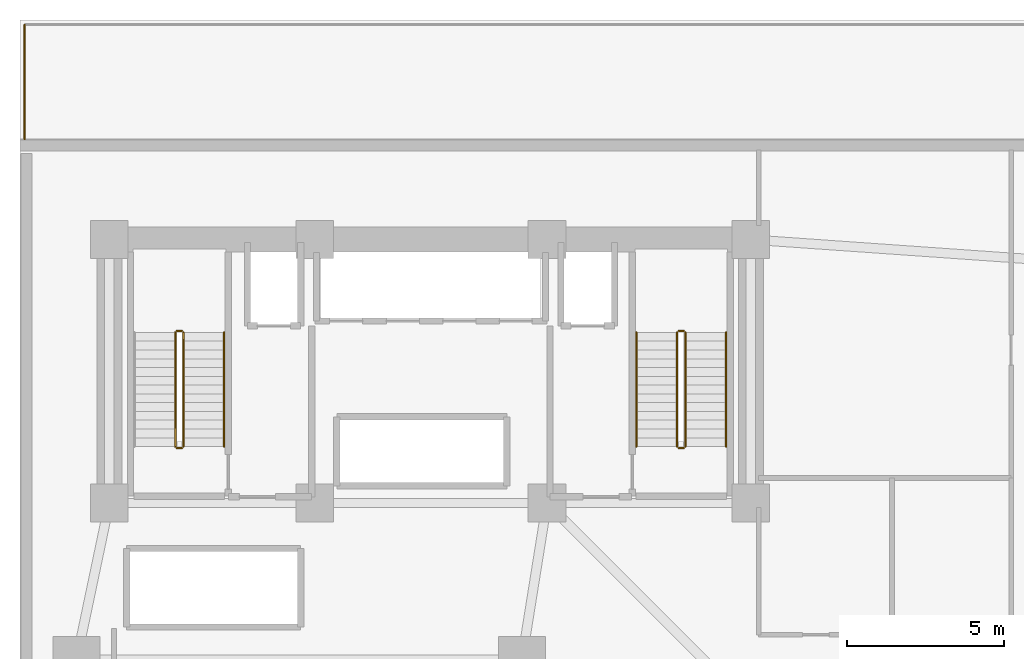
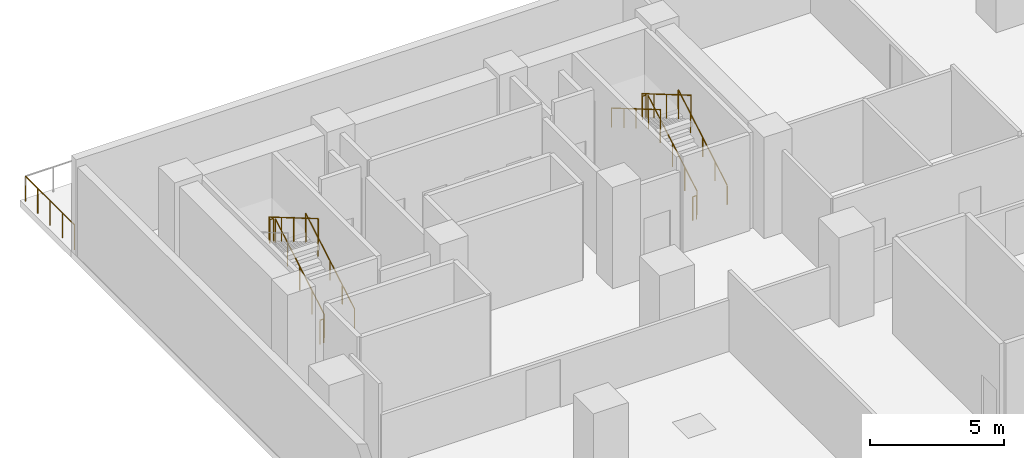
# One storey, part 7 of 9: 12 railings.
"""IFC4 building model written with IfcOpenShell, lengths in metres."""

from ifc_helpers import new_model, si_unit, direction, frame, origin, origin_2d, place, context, subcontext, project, spatial, circle, extrude, material, layer, layer_set, type_object, element, save


model = new_model("IFC4")

# Units and contexts
model_context = context("Model", 3, precision=1e-05, world=origin(), true_north=direction((0.0, 1.0)))
body_context = subcontext(model_context, "Body", "Model", "MODEL_VIEW")
ifc_project = project(units=[si_unit("LENGTHUNIT", "METRE"), si_unit("AREAUNIT", "SQUARE_METRE"), si_unit("VOLUMEUNIT", "CUBIC_METRE"), si_unit("PLANEANGLEUNIT", "RADIAN"), si_unit("MASSUNIT", "GRAM", prefix="KILO")], contexts=[model_context])

# Site, building, storey
site_placement = place(None, origin())
site = spatial("IfcSite", under=ifc_project, at=site_placement, CompositionType="ELEMENT")
building_placement = place(site_placement, origin())
building = spatial("IfcBuilding", under=site, at=building_placement, Name="Kuzgunbayir Cultural Tower", CompositionType="ELEMENT")
storey_placement = place(building_placement, frame((0.0, 0.0, 21.800048828125)))
storey = spatial("IfcBuildingStorey", under=building, at=storey_placement, Name="L05", CompositionType="ELEMENT", Elevation=21.800048828125)

# Railings
ifc_material_1 = material(Name="Laminated Glass and Stainless Steel", Category="steel")
ifc_layer_1 = layer(ifc_material_1, 0.080078125)
ifc_layer_set_1 = layer_set([ifc_layer_1], Name="Laminated Glass and Stainless Steel")
railing_type_1 = type_object("IfcRailingType", Name="RLG-BAL-115", PredefinedType="BALUSTRADE", material=ifc_layer_set_1)
railing_1_placement = place(storey_placement, frame((3.75, 45.39990234375, 0.0)))
element("IfcRailing", 1, at=railing_1_placement, inside=storey, type_object=railing_type_1, Name="L05 Raised Garden North Guard Segment 1", PredefinedType="BALUSTRADE", context=body_context, shape_type="SweptSolid", body=[
    extrude(circle(Radius=0.02392578125, at=origin_2d()), frame((0.0, 0.0, 1.1259765625), z_axis=(0.0, 1.0, 0.0), x_axis=(-1.0, 0.0, 0.0)), (0.0, 0.0, 1.0), 3.650146484375),
    extrude(circle(Radius=0.02099609375, at=origin_2d()), origin(), (0.0, 0.0, 1.0), 1.101806640625),
    extrude(circle(Radius=0.02099609375, at=origin_2d()), frame((0.0, 0.91259765625, 0.0)), (0.0, 0.0, 1.0), 1.101806640625),
    extrude(circle(Radius=0.02099609375, at=origin_2d()), frame((0.0, 1.8251953125, 0.0)), (0.0, 0.0, 1.0), 1.101806640625),
    extrude(circle(Radius=0.02099609375, at=origin_2d()), frame((0.0, 2.737548828125, 0.0)), (0.0, 0.0, 1.0), 1.101806640625),
    extrude(circle(Radius=0.02099609375, at=origin_2d()), frame((0.0, 3.650146484375, 0.0)), (0.0, 0.0, 1.0), 1.101806640625),
])
ifc_material_2 = material(Name="Brushed Stainless Steel", Category="steel")
ifc_layer_2 = layer(ifc_material_2, 0.050048828125)
ifc_layer_set_2 = layer_set([ifc_layer_2], Name="Brushed Stainless Steel")
railing_type_2 = type_object("IfcRailingType", Name="RLG-STAIR-HANDRAIL", PredefinedType="HANDRAIL", material=ifc_layer_set_2)
for number, where, name in (
    (2, (10.110107421875, 35.60009765625, 0.164306640625), "L05 ST-1 stair handrail 1"),
    (3, (26.110107421875, 35.60009765625, 0.164306640625), "L05 ST-2 stair handrail 1"),
):
    element("IfcRailing", number, at=place(storey_placement, frame(where)), inside=storey, type_object=railing_type_2, Name=name, PredefinedType="HANDRAIL", context=body_context, shape_type="SweptSolid", body=[
        extrude(circle(Radius=0.02392578125, at=origin_2d()), frame((0.0, 0.0, 0.8759765625), z_axis=(0.0, 0.862489892076, 0.506074289079), x_axis=(-1.0, 0.0, 0.0)), (0.0, 0.0, 1.0), 4.22021484375),
        extrude(circle(Radius=0.02099609375, at=origin_2d()), origin(), (0.0, 0.0, 1.0), 0.851806640625),
        extrude(circle(Radius=0.02099609375, at=origin_2d()), frame((0.0, 0.909912109375, 0.533935546875)), (0.0, 0.0, 1.0), 0.851806640625),
        extrude(circle(Radius=0.02099609375, at=origin_2d()), frame((0.0, 1.81982421875, 1.06787109375)), (0.0, 0.0, 1.0), 0.851806640625),
        extrude(circle(Radius=0.02099609375, at=origin_2d()), frame((0.0, 2.72998046875, 1.601806640625)), (0.0, 0.0, 1.0), 0.851806640625),
        extrude(circle(Radius=0.02099609375, at=origin_2d()), frame((0.0, 3.639892578125, 2.1357421875)), (0.0, 0.0, 1.0), 0.851806640625),
    ])
railing_2_placement = place(storey_placement, frame((23.25, 39.239990234375, 2.46435546875)))
element("IfcRailing", 4, at=railing_2_placement, inside=storey, type_object=railing_type_2, Name="L05 ST-2 stair handrail 2", PredefinedType="HANDRAIL", context=body_context, shape_type="SweptSolid", body=[
    extrude(circle(Radius=0.02392578125, at=origin_2d()), frame((0.0, 0.0, 0.8759765625), z_axis=(0.0, -0.862515142463, 0.50603125301), x_axis=(1.0, 0.0, 0.0)), (0.0, 0.0, 1.0), 4.219970703125),
    extrude(circle(Radius=0.02099609375, at=origin_2d()), origin(), (0.0, 0.0, 1.0), 0.851806640625),
    extrude(circle(Radius=0.02099609375, at=origin_2d()), frame((0.0, -0.909912109375, 0.533935546875)), (0.0, 0.0, 1.0), 0.851806640625),
    extrude(circle(Radius=0.02099609375, at=origin_2d()), frame((0.0, -1.81982421875, 1.06787109375)), (0.0, 0.0, 1.0), 0.851806640625),
    extrude(circle(Radius=0.02099609375, at=origin_2d()), frame((0.0, -2.72998046875, 1.6015625)), (0.0, 0.0, 1.0), 0.851806640625),
    extrude(circle(Radius=0.02099609375, at=origin_2d()), frame((0.0, -3.639892578125, 2.135498046875)), (0.0, 0.0, 1.0), 0.851806640625),
])
ifc_material_3 = material(Name="Painted Steel Balustrade", Category="steel")
ifc_layer_3 = layer(ifc_material_3, 0.06005859375)
ifc_layer_set_3 = layer_set([ifc_layer_3], Name="Painted Steel Balustrade")
railing_type_3 = type_object("IfcRailingType", Name="RLG-WELL-GUARD", PredefinedType="GUARDRAIL", material=ifc_layer_set_3)
railing_3_placement = place(storey_placement, frame((8.81005859375, 35.60009765625, 0.164306640625)))
element("IfcRailing", 5, at=railing_3_placement, inside=storey, type_object=railing_type_3, Name="L05 ST-1 stair guard 1", PredefinedType="GUARDRAIL", context=body_context, shape_type="SweptSolid", body=[
    extrude(circle(Radius=0.02392578125, at=origin_2d()), frame((0.0, 0.0, 1.076171875), z_axis=(0.0, 0.862489892076, 0.506074289079), x_axis=(-1.0, 0.0, 0.0)), (0.0, 0.0, 1.0), 4.22021484375),
    extrude(circle(Radius=0.02099609375, at=origin_2d()), origin(), (0.0, 0.0, 1.0), 1.052001953125),
    extrude(circle(Radius=0.02099609375, at=origin_2d()), frame((0.0, 0.909912109375, 0.533935546875)), (0.0, 0.0, 1.0), 1.052001953125),
    extrude(circle(Radius=0.02099609375, at=origin_2d()), frame((0.0, 1.81982421875, 1.06787109375)), (0.0, 0.0, 1.0), 1.052001953125),
    extrude(circle(Radius=0.02099609375, at=origin_2d()), frame((0.0, 2.72998046875, 1.601806640625)), (0.0, 0.0, 1.0), 1.052001953125),
    extrude(circle(Radius=0.02099609375, at=origin_2d()), frame((0.0, 3.639892578125, 2.1357421875)), (0.0, 0.0, 1.0), 1.052001953125),
])
railing_4_placement = place(storey_placement, frame((8.760009765625, 39.2900390625, 2.300048828125)))
element("IfcRailing", 6, at=railing_4_placement, inside=storey, type_object=railing_type_3, Name="L05 ST-1 stair guard 2", PredefinedType="GUARDRAIL", context=body_context, shape_type="SweptSolid", body=[
    extrude(circle(Radius=0.02392578125, at=origin_2d()), frame((0.0, 0.0, 1.076171875), z_axis=(-1.0, 0.0, 0.0), x_axis=(0.0, -1.0, 0.0)), (0.0, 0.0, 1.0), 0.159912109375),
    extrude(circle(Radius=0.02099609375, at=origin_2d()), origin(), (0.0, 0.0, 1.0), 1.052001953125),
    extrude(circle(Radius=0.02099609375, at=origin_2d()), frame((-0.159912109375, 0.0, 0.0)), (0.0, 0.0, 1.0), 1.052001953125),
])
railing_5_placement = place(storey_placement, frame((8.550048828125, 39.239990234375, 2.46435546875)))
element("IfcRailing", 7, at=railing_5_placement, inside=storey, type_object=railing_type_3, Name="L05 ST-1 stair guard 3", PredefinedType="GUARDRAIL", context=body_context, shape_type="SweptSolid", body=[
    extrude(circle(Radius=0.02392578125, at=origin_2d()), frame((0.0, 0.0, 1.076171875), z_axis=(0.0, -0.862515142463, 0.50603125301), x_axis=(1.0, 0.0, 0.0)), (0.0, 0.0, 1.0), 4.219970703125),
    extrude(circle(Radius=0.02099609375, at=origin_2d()), origin(), (0.0, 0.0, 1.0), 1.052001953125),
    extrude(circle(Radius=0.02099609375, at=origin_2d()), frame((0.0, -0.909912109375, 0.533935546875)), (0.0, 0.0, 1.0), 1.052001953125),
    extrude(circle(Radius=0.02099609375, at=origin_2d()), frame((0.0, -1.81982421875, 1.06787109375)), (0.0, 0.0, 1.0), 1.052001953125),
    extrude(circle(Radius=0.02099609375, at=origin_2d()), frame((0.0, -2.72998046875, 1.6015625)), (0.0, 0.0, 1.0), 1.052001953125),
    extrude(circle(Radius=0.02099609375, at=origin_2d()), frame((0.0, -3.639892578125, 2.135498046875)), (0.0, 0.0, 1.0), 1.052001953125),
])
railing_6_placement = place(storey_placement, frame((8.760009765625, 35.550048828125, 0.0)))
element("IfcRailing", 8, at=railing_6_placement, inside=storey, type_object=railing_type_3, Name="L05 ST-1 stair guard 4", PredefinedType="GUARDRAIL", context=body_context, shape_type="SweptSolid", body=[
    extrude(circle(Radius=0.02392578125, at=origin_2d()), frame((0.0, 0.0, 1.076171875), z_axis=(-1.0, 0.0, 0.0), x_axis=(0.0, -1.0, 0.0)), (0.0, 0.0, 1.0), 0.159912109375),
    extrude(circle(Radius=0.02099609375, at=origin_2d()), origin(), (0.0, 0.0, 1.0), 1.052001953125),
    extrude(circle(Radius=0.02099609375, at=origin_2d()), frame((-0.159912109375, 0.0, 0.0)), (0.0, 0.0, 1.0), 1.052001953125),
])
railing_7_placement = place(storey_placement, frame((24.81005859375, 35.60009765625, 0.164306640625)))
element("IfcRailing", 9, at=railing_7_placement, inside=storey, type_object=railing_type_3, Name="L05 ST-2 stair guard 1", PredefinedType="GUARDRAIL", context=body_context, shape_type="SweptSolid", body=[
    extrude(circle(Radius=0.02392578125, at=origin_2d()), frame((0.0, 0.0, 1.076171875), z_axis=(0.0, 0.862489892076, 0.506074289079), x_axis=(-1.0, 0.0, 0.0)), (0.0, 0.0, 1.0), 4.22021484375),
    extrude(circle(Radius=0.02099609375, at=origin_2d()), origin(), (0.0, 0.0, 1.0), 1.052001953125),
    extrude(circle(Radius=0.02099609375, at=origin_2d()), frame((0.0, 0.909912109375, 0.533935546875)), (0.0, 0.0, 1.0), 1.052001953125),
    extrude(circle(Radius=0.02099609375, at=origin_2d()), frame((0.0, 1.81982421875, 1.06787109375)), (0.0, 0.0, 1.0), 1.052001953125),
    extrude(circle(Radius=0.02099609375, at=origin_2d()), frame((0.0, 2.72998046875, 1.601806640625)), (0.0, 0.0, 1.0), 1.052001953125),
    extrude(circle(Radius=0.02099609375, at=origin_2d()), frame((0.0, 3.639892578125, 2.1357421875)), (0.0, 0.0, 1.0), 1.052001953125),
])
railing_8_placement = place(storey_placement, frame((24.760009765625, 39.2900390625, 2.300048828125)))
element("IfcRailing", 10, at=railing_8_placement, inside=storey, type_object=railing_type_3, Name="L05 ST-2 stair guard 2", PredefinedType="GUARDRAIL", context=body_context, shape_type="SweptSolid", body=[
    extrude(circle(Radius=0.02392578125, at=origin_2d()), frame((0.0, 0.0, 1.076171875), z_axis=(-1.0, 0.0, 0.0), x_axis=(0.0, -1.0, 0.0)), (0.0, 0.0, 1.0), 0.159912109375),
    extrude(circle(Radius=0.02099609375, at=origin_2d()), origin(), (0.0, 0.0, 1.0), 1.052001953125),
    extrude(circle(Radius=0.02099609375, at=origin_2d()), frame((-0.159912109375, 0.0, 0.0)), (0.0, 0.0, 1.0), 1.052001953125),
])
railing_9_placement = place(storey_placement, frame((24.550048828125, 39.239990234375, 2.46435546875)))
element("IfcRailing", 11, at=railing_9_placement, inside=storey, type_object=railing_type_3, Name="L05 ST-2 stair guard 3", PredefinedType="GUARDRAIL", context=body_context, shape_type="SweptSolid", body=[
    extrude(circle(Radius=0.02392578125, at=origin_2d()), frame((0.0, 0.0, 1.076171875), z_axis=(0.0, -0.862515142463, 0.50603125301), x_axis=(1.0, 0.0, 0.0)), (0.0, 0.0, 1.0), 4.219970703125),
    extrude(circle(Radius=0.02099609375, at=origin_2d()), origin(), (0.0, 0.0, 1.0), 1.052001953125),
    extrude(circle(Radius=0.02099609375, at=origin_2d()), frame((0.0, -0.909912109375, 0.533935546875)), (0.0, 0.0, 1.0), 1.052001953125),
    extrude(circle(Radius=0.02099609375, at=origin_2d()), frame((0.0, -1.81982421875, 1.06787109375)), (0.0, 0.0, 1.0), 1.052001953125),
    extrude(circle(Radius=0.02099609375, at=origin_2d()), frame((0.0, -2.72998046875, 1.6015625)), (0.0, 0.0, 1.0), 1.052001953125),
    extrude(circle(Radius=0.02099609375, at=origin_2d()), frame((0.0, -3.639892578125, 2.135498046875)), (0.0, 0.0, 1.0), 1.052001953125),
])
railing_10_placement = place(storey_placement, frame((24.760009765625, 35.550048828125, 0.0)))
element("IfcRailing", 12, at=railing_10_placement, inside=storey, type_object=railing_type_3, Name="L05 ST-2 stair guard 4", PredefinedType="GUARDRAIL", context=body_context, shape_type="SweptSolid", body=[
    extrude(circle(Radius=0.02392578125, at=origin_2d()), frame((0.0, 0.0, 1.076171875), z_axis=(-1.0, 0.0, 0.0), x_axis=(0.0, -1.0, 0.0)), (0.0, 0.0, 1.0), 0.159912109375),
    extrude(circle(Radius=0.02099609375, at=origin_2d()), origin(), (0.0, 0.0, 1.0), 1.052001953125),
    extrude(circle(Radius=0.02099609375, at=origin_2d()), frame((-0.159912109375, 0.0, 0.0)), (0.0, 0.0, 1.0), 1.052001953125),
])

save(model, "model.ifc")
